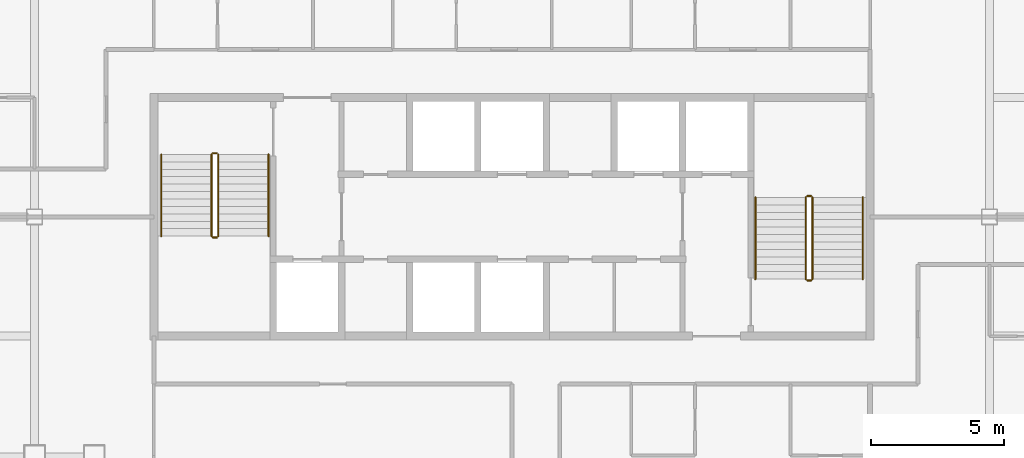
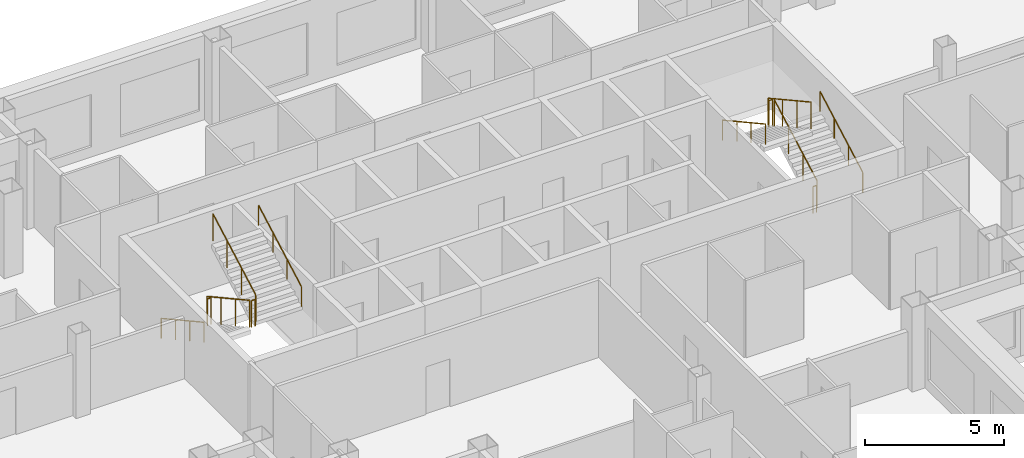
# One storey, part 13 of 13: 12 railings.
"""IFC4 building model written with IfcOpenShell, lengths in metres."""

from ifc_helpers import new_model, si_unit, direction, frame, origin, origin_2d, place, context, subcontext, project, spatial, circle, extrude, material, type_object, element, save


model = new_model("IFC4")

# Units and contexts
model_context = context("Model", 3, precision=1e-05, world=origin(), true_north=direction((0.0, 1.0)))
body_context = subcontext(model_context, "Body", "Model", "MODEL_VIEW")
ifc_project = project(units=[si_unit("LENGTHUNIT", "METRE"), si_unit("AREAUNIT", "SQUARE_METRE"), si_unit("VOLUMEUNIT", "CUBIC_METRE"), si_unit("PLANEANGLEUNIT", "RADIAN"), si_unit("MASSUNIT", "GRAM", prefix="KILO")], contexts=[model_context])

# Site, building, storey
site_placement = place(None, origin())
site = spatial("IfcSite", under=ifc_project, at=site_placement, CompositionType="ELEMENT")
building_placement = place(site_placement, origin())
building = spatial("IfcBuilding", under=site, at=building_placement, Name="Caravel Reach Hotel and Residences", CompositionType="ELEMENT")
storey_placement = place(building_placement, frame((0.0, 0.0, 154.300048828125)))
storey = spatial("IfcBuildingStorey", under=building, at=storey_placement, Name="L38", CompositionType="ELEMENT", Elevation=154.300048828125)

# Railings
ifc_material_1 = material(Name="Steel balustrade with glass infill", Category="steel")
railing_type_1 = type_object("IfcRailingType", Name="Guard 1200", PredefinedType="GUARDRAIL", material=ifc_material_1)
railing_1_placement = place(storey_placement, frame((20.175048828125, 29.35009765625, 0.154052734375)))
element("IfcRailing", 1, at=railing_1_placement, inside=storey, type_object=railing_type_1, Name="L38 ST-A stair guard 1", PredefinedType="GUARDRAIL", context=body_context, shape_type="SweptSolid", body=[
    extrude(circle(Radius=0.02392578125, at=origin_2d()), frame((0.0, 0.0, 1.17578125), z_axis=(0.0, -0.876004717809, 0.482302534076), x_axis=(1.0, 0.0, 0.0)), (0.0, 0.0, 1.0), 3.51611328125),
    extrude(circle(Radius=0.02099609375, at=origin_2d()), origin(), (0.0, 0.0, 1.0), 1.15185546875),
    extrude(circle(Radius=0.02099609375, at=origin_2d()), frame((0.0, -1.026611328125, 0.565185546875)), (0.0, 0.0, 1.0), 1.15185546875),
    extrude(circle(Radius=0.02099609375, at=origin_2d()), frame((0.0, -2.053466796875, 1.130615234375)), (0.0, 0.0, 1.0), 1.15185546875),
    extrude(circle(Radius=0.02099609375, at=origin_2d()), frame((0.0, -3.080078125, 1.69580078125)), (0.0, 0.0, 1.0), 1.15185546875),
])
railing_2_placement = place(storey_placement, frame((20.22509765625, 26.219970703125, 1.849853515625)))
element("IfcRailing", 2, at=railing_2_placement, inside=storey, type_object=railing_type_1, Name="L38 ST-A stair guard 2", PredefinedType="GUARDRAIL", context=body_context, shape_type="SweptSolid", body=[
    extrude(circle(Radius=0.02392578125, at=origin_2d()), frame((0.0, 0.0, 1.17578125), z_axis=(1.0, 0.0, 0.0), x_axis=(0.0, 1.0, 0.0)), (0.0, 0.0, 1.0), 0.14990234375),
    extrude(circle(Radius=0.02099609375, at=origin_2d()), origin(), (0.0, 0.0, 1.0), 1.15185546875),
    extrude(circle(Radius=0.02099609375, at=origin_2d()), frame((0.14990234375, 0.0, 0.0)), (0.0, 0.0, 1.0), 1.15185546875),
])
railing_3_placement = place(storey_placement, frame((20.425048828125, 26.27001953125, 2.004150390625)))
element("IfcRailing", 3, at=railing_3_placement, inside=storey, type_object=railing_type_1, Name="L38 ST-A stair guard 3", PredefinedType="GUARDRAIL", context=body_context, shape_type="SweptSolid", body=[
    extrude(circle(Radius=0.02392578125, at=origin_2d()), frame((0.0, 0.0, 1.17578125), z_axis=(0.0, 0.876004717809, 0.482302534076), x_axis=(-1.0, 0.0, 0.0)), (0.0, 0.0, 1.0), 3.51611328125),
    extrude(circle(Radius=0.02099609375, at=origin_2d()), origin(), (0.0, 0.0, 1.0), 1.15185546875),
    extrude(circle(Radius=0.02099609375, at=origin_2d()), frame((0.0, 1.026611328125, 0.565185546875)), (0.0, 0.0, 1.0), 1.15185546875),
    extrude(circle(Radius=0.02099609375, at=origin_2d()), frame((0.0, 2.053466796875, 1.130615234375)), (0.0, 0.0, 1.0), 1.15185546875),
    extrude(circle(Radius=0.02099609375, at=origin_2d()), frame((0.0, 3.080078125, 1.69580078125)), (0.0, 0.0, 1.0), 1.15185546875),
])
railing_4_placement = place(storey_placement, frame((20.22509765625, 29.39990234375, 0.0)))
element("IfcRailing", 4, at=railing_4_placement, inside=storey, type_object=railing_type_1, Name="L38 ST-A stair guard 4", PredefinedType="GUARDRAIL", context=body_context, shape_type="SweptSolid", body=[
    extrude(circle(Radius=0.02392578125, at=origin_2d()), frame((0.0, 0.0, 1.17578125), z_axis=(1.0, 0.0, 0.0), x_axis=(0.0, 1.0, 0.0)), (0.0, 0.0, 1.0), 0.14990234375),
    extrude(circle(Radius=0.02099609375, at=origin_2d()), origin(), (0.0, 0.0, 1.0), 1.15185546875),
    extrude(circle(Radius=0.02099609375, at=origin_2d()), frame((0.14990234375, 0.0, 0.0)), (0.0, 0.0, 1.0), 1.15185546875),
])
railing_5_placement = place(storey_placement, frame((42.824951171875, 24.64990234375, 0.154052734375)))
element("IfcRailing", 5, at=railing_5_placement, inside=storey, type_object=railing_type_1, Name="L38 ST-B stair guard 1", PredefinedType="GUARDRAIL", context=body_context, shape_type="SweptSolid", body=[
    extrude(circle(Radius=0.02392578125, at=origin_2d()), frame((0.0, 0.0, 1.17578125), z_axis=(0.0, 0.876004717809, 0.482302534076), x_axis=(-1.0, 0.0, 0.0)), (0.0, 0.0, 1.0), 3.51611328125),
    extrude(circle(Radius=0.02099609375, at=origin_2d()), origin(), (0.0, 0.0, 1.0), 1.15185546875),
    extrude(circle(Radius=0.02099609375, at=origin_2d()), frame((0.0, 1.026611328125, 0.565185546875)), (0.0, 0.0, 1.0), 1.15185546875),
    extrude(circle(Radius=0.02099609375, at=origin_2d()), frame((0.0, 2.053466796875, 1.130615234375)), (0.0, 0.0, 1.0), 1.15185546875),
    extrude(circle(Radius=0.02099609375, at=origin_2d()), frame((0.0, 3.080078125, 1.69580078125)), (0.0, 0.0, 1.0), 1.15185546875),
])
railing_6_placement = place(storey_placement, frame((42.77490234375, 27.780029296875, 1.849853515625)))
element("IfcRailing", 6, at=railing_6_placement, inside=storey, type_object=railing_type_1, Name="L38 ST-B stair guard 2", PredefinedType="GUARDRAIL", context=body_context, shape_type="SweptSolid", body=[
    extrude(circle(Radius=0.02392578125, at=origin_2d()), frame((0.0, 0.0, 1.17578125), z_axis=(-1.0, 0.0, 0.0), x_axis=(0.0, -1.0, 0.0)), (0.0, 0.0, 1.0), 0.14990234375),
    extrude(circle(Radius=0.02099609375, at=origin_2d()), origin(), (0.0, 0.0, 1.0), 1.15185546875),
    extrude(circle(Radius=0.02099609375, at=origin_2d()), frame((-0.14990234375, 0.0, 0.0)), (0.0, 0.0, 1.0), 1.15185546875),
])
railing_7_placement = place(storey_placement, frame((42.574951171875, 27.72998046875, 2.004150390625)))
element("IfcRailing", 7, at=railing_7_placement, inside=storey, type_object=railing_type_1, Name="L38 ST-B stair guard 3", PredefinedType="GUARDRAIL", context=body_context, shape_type="SweptSolid", body=[
    extrude(circle(Radius=0.02392578125, at=origin_2d()), frame((0.0, 0.0, 1.17578125), z_axis=(0.0, -0.876004717809, 0.482302534076), x_axis=(1.0, 0.0, 0.0)), (0.0, 0.0, 1.0), 3.51611328125),
    extrude(circle(Radius=0.02099609375, at=origin_2d()), origin(), (0.0, 0.0, 1.0), 1.15185546875),
    extrude(circle(Radius=0.02099609375, at=origin_2d()), frame((0.0, -1.026611328125, 0.565185546875)), (0.0, 0.0, 1.0), 1.15185546875),
    extrude(circle(Radius=0.02099609375, at=origin_2d()), frame((0.0, -2.053466796875, 1.130615234375)), (0.0, 0.0, 1.0), 1.15185546875),
    extrude(circle(Radius=0.02099609375, at=origin_2d()), frame((0.0, -3.080078125, 1.69580078125)), (0.0, 0.0, 1.0), 1.15185546875),
])
railing_8_placement = place(storey_placement, frame((42.77490234375, 24.60009765625, 0.0)))
element("IfcRailing", 8, at=railing_8_placement, inside=storey, type_object=railing_type_1, Name="L38 ST-B stair guard 4", PredefinedType="GUARDRAIL", context=body_context, shape_type="SweptSolid", body=[
    extrude(circle(Radius=0.02392578125, at=origin_2d()), frame((0.0, 0.0, 1.17578125), z_axis=(-1.0, 0.0, 0.0), x_axis=(0.0, -1.0, 0.0)), (0.0, 0.0, 1.0), 0.14990234375),
    extrude(circle(Radius=0.02099609375, at=origin_2d()), origin(), (0.0, 0.0, 1.0), 1.15185546875),
    extrude(circle(Radius=0.02099609375, at=origin_2d()), frame((-0.14990234375, 0.0, 0.0)), (0.0, 0.0, 1.0), 1.15185546875),
])
ifc_material_2 = material(Name="Stainless steel handrail", Category="steel")
railing_type_2 = type_object("IfcRailingType", Name="Handrail 900", PredefinedType="HANDRAIL", material=ifc_material_2)
railing_9_placement = place(storey_placement, frame((18.27490234375, 29.35009765625, 0.154052734375)))
element("IfcRailing", 9, at=railing_9_placement, inside=storey, type_object=railing_type_2, Name="L38 ST-A stair handrail 1", PredefinedType="HANDRAIL", context=body_context, shape_type="SweptSolid", body=[
    extrude(circle(Radius=0.02392578125, at=origin_2d()), frame((0.0, 0.0, 0.8759765625), z_axis=(0.0, -0.876004717809, 0.482302534076), x_axis=(1.0, 0.0, 0.0)), (0.0, 0.0, 1.0), 3.51611328125),
    extrude(circle(Radius=0.02099609375, at=origin_2d()), origin(), (0.0, 0.0, 1.0), 0.851806640625),
    extrude(circle(Radius=0.02099609375, at=origin_2d()), frame((0.0, -1.026611328125, 0.565185546875)), (0.0, 0.0, 1.0), 0.851806640625),
    extrude(circle(Radius=0.02099609375, at=origin_2d()), frame((0.0, -2.053466796875, 1.130615234375)), (0.0, 0.0, 1.0), 0.851806640625),
    extrude(circle(Radius=0.02099609375, at=origin_2d()), frame((0.0, -3.080078125, 1.69580078125)), (0.0, 0.0, 1.0), 0.851806640625),
])
for number, where, name in (
    (10, (22.324951171875, 26.27001953125, 2.004150390625), "L38 ST-A stair handrail 2"),
    (11, (44.72509765625, 24.64990234375, 0.154052734375), "L38 ST-B stair handrail 1"),
):
    element("IfcRailing", number, at=place(storey_placement, frame(where)), inside=storey, type_object=railing_type_2, Name=name, PredefinedType="HANDRAIL", context=body_context, shape_type="SweptSolid", body=[
        extrude(circle(Radius=0.02392578125, at=origin_2d()), frame((0.0, 0.0, 0.8759765625), z_axis=(0.0, 0.876004717809, 0.482302534076), x_axis=(-1.0, 0.0, 0.0)), (0.0, 0.0, 1.0), 3.51611328125),
        extrude(circle(Radius=0.02099609375, at=origin_2d()), origin(), (0.0, 0.0, 1.0), 0.851806640625),
        extrude(circle(Radius=0.02099609375, at=origin_2d()), frame((0.0, 1.026611328125, 0.565185546875)), (0.0, 0.0, 1.0), 0.851806640625),
        extrude(circle(Radius=0.02099609375, at=origin_2d()), frame((0.0, 2.053466796875, 1.130615234375)), (0.0, 0.0, 1.0), 0.851806640625),
        extrude(circle(Radius=0.02099609375, at=origin_2d()), frame((0.0, 3.080078125, 1.69580078125)), (0.0, 0.0, 1.0), 0.851806640625),
    ])
railing_10_placement = place(storey_placement, frame((40.675048828125, 27.72998046875, 2.004150390625)))
element("IfcRailing", 12, at=railing_10_placement, inside=storey, type_object=railing_type_2, Name="L38 ST-B stair handrail 2", PredefinedType="HANDRAIL", context=body_context, shape_type="SweptSolid", body=[
    extrude(circle(Radius=0.02392578125, at=origin_2d()), frame((0.0, 0.0, 0.8759765625), z_axis=(0.0, -0.876004717809, 0.482302534076), x_axis=(1.0, 0.0, 0.0)), (0.0, 0.0, 1.0), 3.51611328125),
    extrude(circle(Radius=0.02099609375, at=origin_2d()), origin(), (0.0, 0.0, 1.0), 0.851806640625),
    extrude(circle(Radius=0.02099609375, at=origin_2d()), frame((0.0, -1.026611328125, 0.565185546875)), (0.0, 0.0, 1.0), 0.851806640625),
    extrude(circle(Radius=0.02099609375, at=origin_2d()), frame((0.0, -2.053466796875, 1.130615234375)), (0.0, 0.0, 1.0), 0.851806640625),
    extrude(circle(Radius=0.02099609375, at=origin_2d()), frame((0.0, -3.080078125, 1.69580078125)), (0.0, 0.0, 1.0), 0.851806640625),
])

save(model, "model.ifc")
